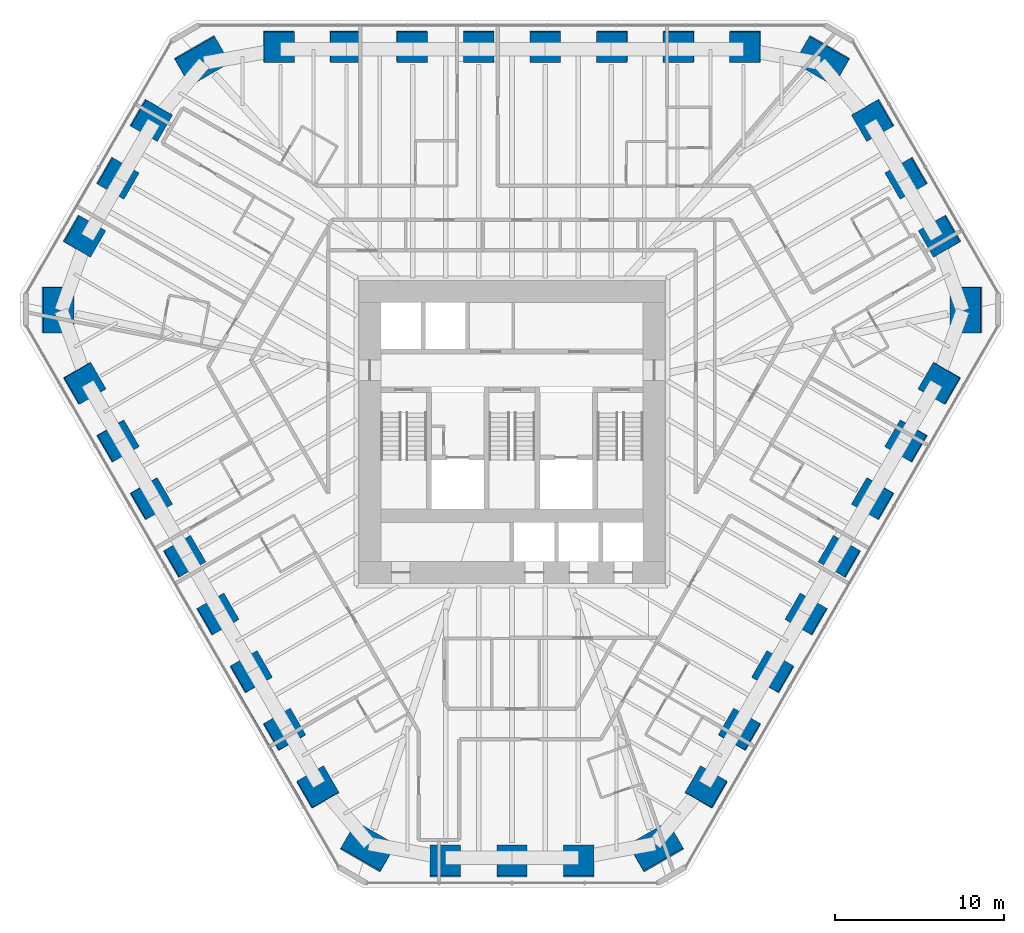
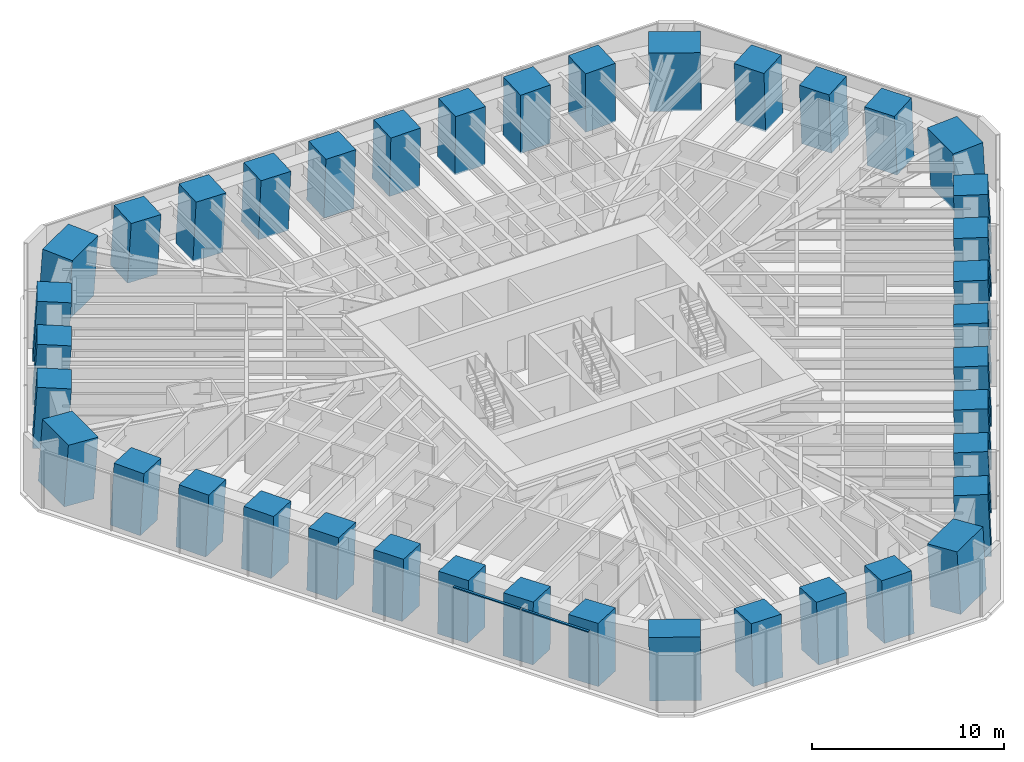
# One storey, part 1 of 17: 39 columns, 2 members, 1 element without a shape of its own.
"""IFC4 building model written with IfcOpenShell, lengths in metres."""

from ifc_helpers import new_model, si_unit, direction, frame, origin, origin_2d, place, context, subcontext, project, spatial, rectangle, extrude, material, material_profile, profile_set, type_object, element, aggregate, save


model = new_model("IFC4")

# Units and contexts
model_context = context("Model", 3, precision=1e-05, world=origin(), true_north=direction((0.0, 1.0)))
body_context = subcontext(model_context, "Body", "Model", "MODEL_VIEW")
ifc_project = project(units=[si_unit("LENGTHUNIT", "METRE"), si_unit("AREAUNIT", "SQUARE_METRE"), si_unit("VOLUMEUNIT", "CUBIC_METRE"), si_unit("PLANEANGLEUNIT", "RADIAN"), si_unit("MASSUNIT", "GRAM", prefix="KILO")], contexts=[model_context])

# Site, building, storey
site_placement = place(None, origin())
site = spatial("IfcSite", under=ifc_project, at=site_placement, CompositionType="ELEMENT")
building_placement = place(site_placement, origin())
building = spatial("IfcBuilding", under=site, at=building_placement, Name="Sandreach Pilgrim Tower", CompositionType="ELEMENT")
storey_placement = place(building_placement, frame((0.0, 0.0, 150.0)))
storey = spatial("IfcBuildingStorey", under=building, at=storey_placement, Name="L37", CompositionType="ELEMENT", Elevation=150.0)

# Columns
ifc_material_1 = material(Name="Concrete 10000 psi", Category="concrete")
ifc_material_profile_1 = material_profile(ifc_material_1, rectangle(XDim=1.800048828125, YDim=1.800048828125, at=origin_2d()), Name="RC1800X1800")
ifc_profile_set_1 = profile_set([ifc_material_profile_1], Name="Concrete 10000 psi")
column_type_1 = type_object("IfcColumnType", Name="Raked tube column RC1800X1800", PredefinedType="COLUMN", material=ifc_profile_set_1)
column_1_placement = place(storey_placement, frame((-13.789794921875, 21.23388671875, -0.070068359375), z_axis=(0.030672908952, -0.047237539454, 0.998412633896), x_axis=(0.001517539958, 0.998883682108, 0.047213204619)))
element("IfcColumn", 1, at=column_1_placement, inside=storey, type_object=column_type_1, Name="COL L37 T01", PredefinedType="COLUMN", context=body_context, shape_type="SweptSolid", body=[
    extrude(rectangle(XDim=1.800048828125, YDim=1.800048828125, at=origin_2d()), origin(), (0.0, 0.0, 1.0), 3.876220703125),
])
column_2_placement = place(storey_placement, frame((-9.849853515625, 21.23388671875, -0.062255859375), z_axis=(0.021904461352, -0.047280811392, 0.998641436877), x_axis=(0.001524932633, 0.998881518018, 0.047258729796)))
element("IfcColumn", 2, at=column_2_placement, inside=storey, type_object=column_type_1, Name="COL L37 T02", PredefinedType="COLUMN", context=body_context, shape_type="SweptSolid", body=[
    extrude(rectangle(XDim=1.800048828125, YDim=1.800048828125, at=origin_2d()), origin(), (0.0, 0.0, 1.0), 3.86767578125),
])
column_3_placement = place(storey_placement, frame((-5.909912109375, 21.23388671875, -0.054443359375), z_axis=(0.013158701657, -0.047257452585, 0.998796066145), x_axis=(0.000510527597, 0.998882736188, 0.047254827349)))
element("IfcColumn", 3, at=column_3_placement, inside=storey, type_object=column_type_1, Name="COL L37 T03", PredefinedType="COLUMN", context=body_context, shape_type="SweptSolid", body=[
    extrude(rectangle(XDim=1.800048828125, YDim=1.800048828125, at=origin_2d()), origin(), (0.0, 0.0, 1.0), 3.859130859375),
])
for number, where, z_axis, x_axis, name in (
    (4, (-1.969970703125, 21.23388671875, -0.04638671875), (0.004374618876, -0.047296604079, 0.998871310006), (0.000487124641, 0.998880850263, 0.047294922418), "COL L37 T04"),
    (5, (1.969970703125, 21.23388671875, -0.04638671875), (-0.004374618876, -0.047296604079, 0.998871310006), (-0.000487124641, 0.998880850263, 0.047294922418), "COL L37 T05"),
):
    element("IfcColumn", number, at=place(storey_placement, frame(where, z_axis=z_axis, x_axis=x_axis)), inside=storey, type_object=column_type_1, Name=name, PredefinedType="COLUMN", context=body_context, shape_type="SweptSolid", body=[
        extrude(rectangle(XDim=1.800048828125, YDim=1.800048828125, at=origin_2d()), origin(), (0.0, 0.0, 1.0), 3.850830078125),
    ])
column_4_placement = place(storey_placement, frame((5.909912109375, 21.23388671875, -0.054443359375), z_axis=(-0.013158701657, -0.047257452585, 0.998796066145), x_axis=(-0.000510527597, 0.998882736188, 0.047254827349)))
element("IfcColumn", 6, at=column_4_placement, inside=storey, type_object=column_type_1, Name="COL L37 T06", PredefinedType="COLUMN", context=body_context, shape_type="SweptSolid", body=[
    extrude(rectangle(XDim=1.800048828125, YDim=1.800048828125, at=origin_2d()), origin(), (0.0, 0.0, 1.0), 3.859130859375),
])
column_5_placement = place(storey_placement, frame((9.849853515625, 21.23388671875, -0.062255859375), z_axis=(-0.021904461352, -0.047280811392, 0.998641436877), x_axis=(-0.001524932633, 0.998881518018, 0.047258729796)))
element("IfcColumn", 7, at=column_5_placement, inside=storey, type_object=column_type_1, Name="COL L37 T07", PredefinedType="COLUMN", context=body_context, shape_type="SweptSolid", body=[
    extrude(rectangle(XDim=1.800048828125, YDim=1.800048828125, at=origin_2d()), origin(), (0.0, 0.0, 1.0), 3.86767578125),
])
column_6_placement = place(storey_placement, frame((13.789794921875, 21.23388671875, -0.070068359375), z_axis=(-0.030672908952, -0.047237539454, 0.998412633896), x_axis=(-0.001517539958, 0.998883682108, 0.047213204619)))
element("IfcColumn", 8, at=column_6_placement, inside=storey, type_object=column_type_1, Name="COL L37 T08", PredefinedType="COLUMN", context=body_context, shape_type="SweptSolid", body=[
    extrude(rectangle(XDim=1.800048828125, YDim=1.800048828125, at=origin_2d()), origin(), (0.0, 0.0, 1.0), 3.876220703125),
])
column_7_placement = place(storey_placement, frame((21.346435546875, 16.891357421875, -0.060791015625), z_axis=(-0.046773827899, -0.036989828811, 0.998220397301), x_axis=(0.864919891938, 0.498430416416, 0.058997461992)))
element("IfcColumn", 9, at=column_7_placement, inside=storey, type_object=column_type_1, Name="COL L37 T10", PredefinedType="COLUMN", context=body_context, shape_type="SweptSolid", body=[
    extrude(rectangle(XDim=1.800048828125, YDim=1.800048828125, at=origin_2d()), origin(), (0.0, 0.0, 1.0), 3.86767578125),
])
column_8_placement = place(storey_placement, frame((23.323974609375, 13.466064453125, -0.05322265625), z_axis=(-0.0511051556, -0.029474013007, 0.998258255978), x_axis=(0.864748173328, 0.498728525707, 0.058995375849)))
element("IfcColumn", 10, at=column_8_placement, inside=storey, type_object=column_type_1, Name="COL L37 T11", PredefinedType="COLUMN", context=body_context, shape_type="SweptSolid", body=[
    extrude(rectangle(XDim=1.800048828125, YDim=1.800048828125, at=origin_2d()), origin(), (0.0, 0.0, 1.0), 3.860107421875),
])
column_9_placement = place(storey_placement, frame((25.301513671875, 10.040771484375, -0.060791015625), z_axis=(-0.055421674634, -0.021966677417, 0.998221369769), x_axis=(0.864472305627, 0.499208205688, 0.058981354491)))
element("IfcColumn", 11, at=column_9_placement, inside=storey, type_object=column_type_1, Name="COL L37 T12", PredefinedType="COLUMN", context=body_context, shape_type="SweptSolid", body=[
    extrude(rectangle(XDim=1.800048828125, YDim=1.800048828125, at=origin_2d()), origin(), (0.0, 0.0, 1.0), 3.86767578125),
])
column_10_placement = place(storey_placement, frame((25.283935546875, 1.325439453125, -0.070068359375), z_axis=(-0.05624416487, -0.002960219204, 0.998412655679), x_axis=(0.864437776769, -0.500518005639, 0.047212880923)))
element("IfcColumn", 12, at=column_10_placement, inside=storey, type_object=column_type_1, Name="COL L37 T14", PredefinedType="COLUMN", context=body_context, shape_type="SweptSolid", body=[
    extrude(rectangle(XDim=1.800048828125, YDim=1.800048828125, at=origin_2d()), origin(), (0.0, 0.0, 1.0), 3.876220703125),
])
column_11_placement = place(storey_placement, frame((23.31396484375, -2.086669921875, -0.062255859375), z_axis=(-0.051888980404, 0.004671270742, 0.9986419343), x_axis=(0.864279894758, -0.500787073665, 0.047250083245)))
element("IfcColumn", 13, at=column_11_placement, inside=storey, type_object=column_type_1, Name="COL L37 T15", PredefinedType="COLUMN", context=body_context, shape_type="SweptSolid", body=[
    extrude(rectangle(XDim=1.800048828125, YDim=1.800048828125, at=origin_2d()), origin(), (0.0, 0.0, 1.0), 3.86767578125),
])
column_12_placement = place(storey_placement, frame((21.343994140625, -5.498779296875, -0.054443359375), z_axis=(-0.047510469933, 0.012273010875, 0.998795338621), x_axis=(0.864419091597, -0.500544969808, 0.047269094371)))
element("IfcColumn", 14, at=column_12_placement, inside=storey, type_object=column_type_1, Name="COL L37 T16", PredefinedType="COLUMN", context=body_context, shape_type="SweptSolid", body=[
    extrude(rectangle(XDim=1.800048828125, YDim=1.800048828125, at=origin_2d()), origin(), (0.0, 0.0, 1.0), 3.859130859375),
])
for number, where, z_axis, x_axis, name in (
    (15, (19.3740234375, -8.910888671875, -0.04638671875), (-0.043112264699, 0.019844321839, 0.998873132847), (0.864807493733, -0.499874783842, 0.047256737739), "COL L37 T17"),
    (16, (17.404052734375, -12.322998046875, -0.04638671875), (-0.038737603506, 0.027452344219, 0.998872247523), (0.864953841684, -0.499619754383, 0.047275287269), "COL L37 T18"),
):
    element("IfcColumn", number, at=place(storey_placement, frame(where, z_axis=z_axis, x_axis=x_axis)), inside=storey, type_object=column_type_1, Name=name, PredefinedType="COLUMN", context=body_context, shape_type="SweptSolid", body=[
        extrude(rectangle(XDim=1.800048828125, YDim=1.800048828125, at=origin_2d()), origin(), (0.0, 0.0, 1.0), 3.850830078125),
    ])
column_13_placement = place(storey_placement, frame((15.43408203125, -15.735107421875, -0.054443359375), z_axis=(-0.034351769062, 0.035047661253, 0.998795082789), x_axis=(0.865183525634, -0.499222020213, 0.047274110313)))
element("IfcColumn", 17, at=column_13_placement, inside=storey, type_object=column_type_1, Name="COL L37 T19", PredefinedType="COLUMN", context=body_context, shape_type="SweptSolid", body=[
    extrude(rectangle(XDim=1.800048828125, YDim=1.800048828125, at=origin_2d()), origin(), (0.0, 0.0, 1.0), 3.859130859375),
])
column_14_placement = place(storey_placement, frame((13.464111328125, -19.147216796875, -0.062255859375), z_axis=(-0.029984502764, 0.04260955656, 0.998641755227), x_axis=(0.865747631398, -0.498245094486, 0.047253196188)))
element("IfcColumn", 18, at=column_14_placement, inside=storey, type_object=column_type_1, Name="COL L37 T20", PredefinedType="COLUMN", context=body_context, shape_type="SweptSolid", body=[
    extrude(rectangle(XDim=1.800048828125, YDim=1.800048828125, at=origin_2d()), origin(), (0.0, 0.0, 1.0), 3.86767578125),
])
column_15_placement = place(storey_placement, frame((11.494140625, -22.559326171875, -0.070068359375), z_axis=(-0.025571235621, 0.050197721157, 0.998411889302), x_axis=(0.865745559121, -0.498251437924, 0.047224267791)))
element("IfcColumn", 19, at=column_15_placement, inside=storey, type_object=column_type_1, Name="COL L37 T21", PredefinedType="COLUMN", context=body_context, shape_type="SweptSolid", body=[
    extrude(rectangle(XDim=1.800048828125, YDim=1.800048828125, at=origin_2d()), origin(), (0.0, 0.0, 1.0), 3.876220703125),
])
column_16_placement = place(storey_placement, frame((3.955322265625, -26.93212890625, -0.060791015625), z_axis=(-0.008710934008, 0.058956611328, 0.998222539121), x_axis=(0.000360575558, -0.998260163932, 0.058961980052)))
element("IfcColumn", 20, at=column_16_placement, inside=storey, type_object=column_type_1, Name="COL L37 T23", PredefinedType="COLUMN", context=body_context, shape_type="SweptSolid", body=[
    extrude(rectangle(XDim=1.800048828125, YDim=1.800048828125, at=origin_2d()), origin(), (0.0, 0.0, 1.0), 3.86767578125),
])
column_17_placement = place(storey_placement, frame((0.0, -26.93212890625, -0.05322265625), z_axis=(0.0, 0.05901121961, 0.998257319512), x_axis=(0.0, -0.998257319512, 0.05901121961)))
element("IfcColumn", 21, at=column_17_placement, inside=storey, type_object=column_type_1, Name="COL L37 T24", PredefinedType="COLUMN", context=body_context, shape_type="SweptSolid", body=[
    extrude(rectangle(XDim=1.800048828125, YDim=1.800048828125, at=origin_2d()), origin(), (0.0, 0.0, 1.0), 3.860107421875),
])
column_18_placement = place(storey_placement, frame((-3.955322265625, -26.93212890625, -0.060791015625), z_axis=(0.008710934008, 0.058956611328, 0.998222539121), x_axis=(-0.000360575558, -0.998260163932, 0.058961980052)))
element("IfcColumn", 22, at=column_18_placement, inside=storey, type_object=column_type_1, Name="COL L37 T25", PredefinedType="COLUMN", context=body_context, shape_type="SweptSolid", body=[
    extrude(rectangle(XDim=1.800048828125, YDim=1.800048828125, at=origin_2d()), origin(), (0.0, 0.0, 1.0), 3.86767578125),
])
column_19_placement = place(storey_placement, frame((-11.494140625, -22.559326171875, -0.070068359375), z_axis=(0.025571235621, 0.050197721157, 0.998411889302), x_axis=(-0.865745559121, -0.498251437924, 0.047224267791)))
element("IfcColumn", 23, at=column_19_placement, inside=storey, type_object=column_type_1, Name="COL L37 T27", PredefinedType="COLUMN", context=body_context, shape_type="SweptSolid", body=[
    extrude(rectangle(XDim=1.800048828125, YDim=1.800048828125, at=origin_2d()), origin(), (0.0, 0.0, 1.0), 3.876220703125),
])
column_20_placement = place(storey_placement, frame((-13.464111328125, -19.147216796875, -0.062255859375), z_axis=(0.029984502764, 0.04260955656, 0.998641755227), x_axis=(-0.865747631398, -0.498245094486, 0.047253196188)))
element("IfcColumn", 24, at=column_20_placement, inside=storey, type_object=column_type_1, Name="COL L37 T28", PredefinedType="COLUMN", context=body_context, shape_type="SweptSolid", body=[
    extrude(rectangle(XDim=1.800048828125, YDim=1.800048828125, at=origin_2d()), origin(), (0.0, 0.0, 1.0), 3.86767578125),
])
column_21_placement = place(storey_placement, frame((-15.43408203125, -15.735107421875, -0.054443359375), z_axis=(0.034351769062, 0.035047661253, 0.998795082789), x_axis=(-0.865183525634, -0.499222020213, 0.047274110313)))
element("IfcColumn", 25, at=column_21_placement, inside=storey, type_object=column_type_1, Name="COL L37 T29", PredefinedType="COLUMN", context=body_context, shape_type="SweptSolid", body=[
    extrude(rectangle(XDim=1.800048828125, YDim=1.800048828125, at=origin_2d()), origin(), (0.0, 0.0, 1.0), 3.859130859375),
])
for number, where, z_axis, x_axis, name in (
    (26, (-17.404052734375, -12.322998046875, -0.04638671875), (0.038737603506, 0.027452344219, 0.998872247523), (-0.864953841684, -0.499619754383, 0.047275287269), "COL L37 T30"),
    (27, (-19.3740234375, -8.910888671875, -0.04638671875), (0.043112264699, 0.019844321839, 0.998873132847), (-0.864807493733, -0.499874783842, 0.047256737739), "COL L37 T31"),
):
    element("IfcColumn", number, at=place(storey_placement, frame(where, z_axis=z_axis, x_axis=x_axis)), inside=storey, type_object=column_type_1, Name=name, PredefinedType="COLUMN", context=body_context, shape_type="SweptSolid", body=[
        extrude(rectangle(XDim=1.800048828125, YDim=1.800048828125, at=origin_2d()), origin(), (0.0, 0.0, 1.0), 3.850830078125),
    ])
column_22_placement = place(storey_placement, frame((-21.343994140625, -5.498779296875, -0.054443359375), z_axis=(0.047510469933, 0.012273010875, 0.998795338621), x_axis=(-0.864419091597, -0.500544969808, 0.047269094371)))
element("IfcColumn", 28, at=column_22_placement, inside=storey, type_object=column_type_1, Name="COL L37 T32", PredefinedType="COLUMN", context=body_context, shape_type="SweptSolid", body=[
    extrude(rectangle(XDim=1.800048828125, YDim=1.800048828125, at=origin_2d()), origin(), (0.0, 0.0, 1.0), 3.859130859375),
])
column_23_placement = place(storey_placement, frame((-23.31396484375, -2.086669921875, -0.062255859375), z_axis=(0.051888980404, 0.004671270742, 0.9986419343), x_axis=(-0.864279894758, -0.500787073665, 0.047250083245)))
element("IfcColumn", 29, at=column_23_placement, inside=storey, type_object=column_type_1, Name="COL L37 T33", PredefinedType="COLUMN", context=body_context, shape_type="SweptSolid", body=[
    extrude(rectangle(XDim=1.800048828125, YDim=1.800048828125, at=origin_2d()), origin(), (0.0, 0.0, 1.0), 3.86767578125),
])
column_24_placement = place(storey_placement, frame((-25.283935546875, 1.325439453125, -0.070068359375), z_axis=(0.05624416487, -0.002960219204, 0.998412655679), x_axis=(-0.864437776769, -0.500518005639, 0.047212880923)))
element("IfcColumn", 30, at=column_24_placement, inside=storey, type_object=column_type_1, Name="COL L37 T34", PredefinedType="COLUMN", context=body_context, shape_type="SweptSolid", body=[
    extrude(rectangle(XDim=1.800048828125, YDim=1.800048828125, at=origin_2d()), origin(), (0.0, 0.0, 1.0), 3.876220703125),
])
column_25_placement = place(storey_placement, frame((-25.301513671875, 10.040771484375, -0.060791015625), z_axis=(0.055421674634, -0.021966677417, 0.998221369769), x_axis=(-0.864472305627, 0.499208205688, 0.058981354491)))
element("IfcColumn", 31, at=column_25_placement, inside=storey, type_object=column_type_1, Name="COL L37 T36", PredefinedType="COLUMN", context=body_context, shape_type="SweptSolid", body=[
    extrude(rectangle(XDim=1.800048828125, YDim=1.800048828125, at=origin_2d()), origin(), (0.0, 0.0, 1.0), 3.86767578125),
])
column_26_placement = place(storey_placement, frame((-23.323974609375, 13.466064453125, -0.05322265625), z_axis=(0.0511051556, -0.029474013007, 0.998258255978), x_axis=(-0.864748173328, 0.498728525707, 0.058995375849)))
element("IfcColumn", 32, at=column_26_placement, inside=storey, type_object=column_type_1, Name="COL L37 T37", PredefinedType="COLUMN", context=body_context, shape_type="SweptSolid", body=[
    extrude(rectangle(XDim=1.800048828125, YDim=1.800048828125, at=origin_2d()), origin(), (0.0, 0.0, 1.0), 3.860107421875),
])
column_27_placement = place(storey_placement, frame((-21.346435546875, 16.891357421875, -0.060791015625), z_axis=(0.046773827899, -0.036989828811, 0.998220397301), x_axis=(-0.864919891938, 0.498430416416, 0.058997461992)))
element("IfcColumn", 33, at=column_27_placement, inside=storey, type_object=column_type_1, Name="COL L37 T38", PredefinedType="COLUMN", context=body_context, shape_type="SweptSolid", body=[
    extrude(rectangle(XDim=1.800048828125, YDim=1.800048828125, at=origin_2d()), origin(), (0.0, 0.0, 1.0), 3.86767578125),
])
ifc_material_2 = material(Name="Concrete 10000 psi", Category="concrete")
ifc_material_profile_2 = material_profile(ifc_material_2, rectangle(XDim=1.800048828125, YDim=2.699951171875, at=origin_2d()), Name="RC1800X2700")
ifc_profile_set_2 = profile_set([ifc_material_profile_2], Name="Concrete 10000 psi")
column_type_2 = type_object("IfcColumnType", Name="Raked tube corner pier RC1800X2700", PredefinedType="COLUMN", material=ifc_profile_set_2)
for number, where, z_axis, x_axis, name in (
    (34, (18.33935546875, 20.423828125, -0.0712890625), (-0.041102575275, -0.045760447511, 0.998106487179), (0.498560434841, 0.864763607509, 0.060178035354), "COL L37 T09"),
    (35, (26.857177734375, 5.67041015625, -0.0712890625), (-0.060174697358, -0.012714737308, 0.998106878672), (0.998187848607, -0.000609086615, 0.060171819876), "COL L37 T13"),
    (36, (8.517822265625, -26.09423828125, -0.0712890625), (-0.019072101806, 0.058475190025, 0.998106661176), (0.499546620481, -0.864194486493, 0.060175273), "COL L37 T22"),
    (37, (-8.517822265625, -26.09423828125, -0.0712890625), (0.019072101806, 0.058475190025, 0.998106661176), (-0.499546620481, -0.864194486493, 0.060175273), "COL L37 T26"),
    (38, (-26.857177734375, 5.67041015625, -0.0712890625), (0.060174697358, -0.012714737308, 0.998106878672), (-0.998187848607, -0.000609086615, 0.060171819876), "COL L37 T35"),
    (39, (-18.33935546875, 20.423828125, -0.0712890625), (0.041102575275, -0.045760447511, 0.998106487179), (-0.498560434841, 0.864763607509, 0.060178035354), "COL L37 T39"),
):
    element("IfcColumn", number, at=place(storey_placement, frame(where, z_axis=z_axis, x_axis=x_axis)), inside=storey, type_object=column_type_2, Name=name, PredefinedType="COLUMN", context=body_context, shape_type="SweptSolid", body=[
        extrude(rectangle(XDim=1.800048828125, YDim=2.699951171875, at=origin_2d()), origin(), (0.0, 0.0, 1.0), 3.878662109375),
    ])

# Curtain wall, members
ifc_material_3 = material(Name="Aluminium framed curtain wall", Category="aluminium")
curtain_wall_type = type_object("IfcCurtainWallType", Name="Hotel tower curtain wall", PredefinedType="NOTDEFINED", material=ifc_material_3)
curtain_wall_placement = place(storey_placement, origin())
curtain_wall = element("IfcCurtainWall", 40, at=curtain_wall_placement, inside=storey, type_object=curtain_wall_type, Name="CW-2 L37 SW", PredefinedType="NOTDEFINED")
ifc_material_4 = material(Name="Aluminium extrusion", Category="aluminium")
ifc_material_profile_3 = material_profile(ifc_material_4, rectangle(XDim=0.139892578125, YDim=0.070068359375, at=origin_2d()), Name="CW-2T 140X70")
ifc_profile_set_3 = profile_set([ifc_material_profile_3], Name="Aluminium extrusion")
member_type = type_object("IfcMemberType", Name="CW-2 transom", PredefinedType="USERDEFINED", material=ifc_profile_set_3)
member_1_placement = place(storey_placement, frame((-12.309326171875, -23.667236328125, 3.60498046875), z_axis=(-0.500023973715, 0.866011562111, 0.0), x_axis=(-0.866011562111, -0.500023973715, 0.0)))
member_1 = element("IfcMember", 41, at=member_1_placement, type_object=member_type, Name="CW-2 head transom 2", ObjectType="TRANSOM", PredefinedType="USERDEFINED", context=body_context, shape_type="SweptSolid", body=[
    extrude(rectangle(XDim=0.139892578125, YDim=0.070068359375, at=origin_2d()), origin(), (0.0, 0.0, 1.0), 4.041748046875),
])
member_2_placement = place(storey_placement, frame((-14.36279296875, -20.110595703125, 3.60498046875), z_axis=(-0.499997818338, 0.866026663364, 0.0), x_axis=(-0.866026663364, -0.499997818338, 0.0)))
member_2 = element("IfcMember", 42, at=member_2_placement, type_object=member_type, Name="CW-2 head transom 3", ObjectType="TRANSOM", PredefinedType="USERDEFINED", context=body_context, shape_type="SweptSolid", body=[
    extrude(rectangle(XDim=0.139892578125, YDim=0.070068359375, at=origin_2d()), origin(), (0.0, 0.0, 1.0), 4.0419921875),
])
aggregate(curtain_wall, [member_1, member_2])

save(model, "model.ifc")
